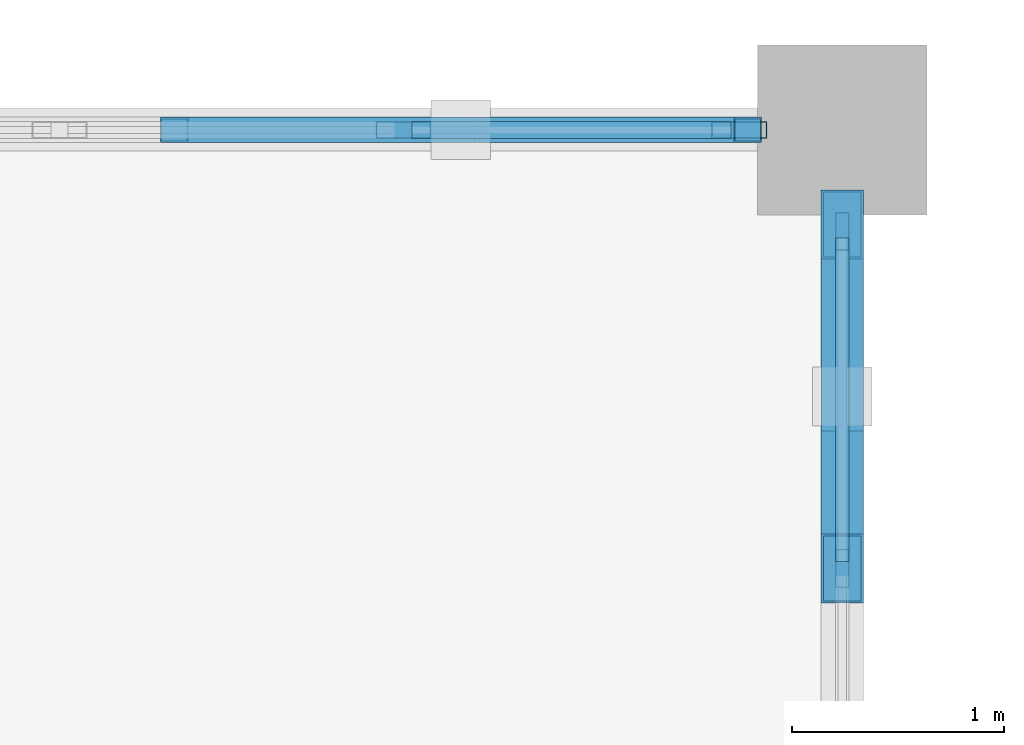
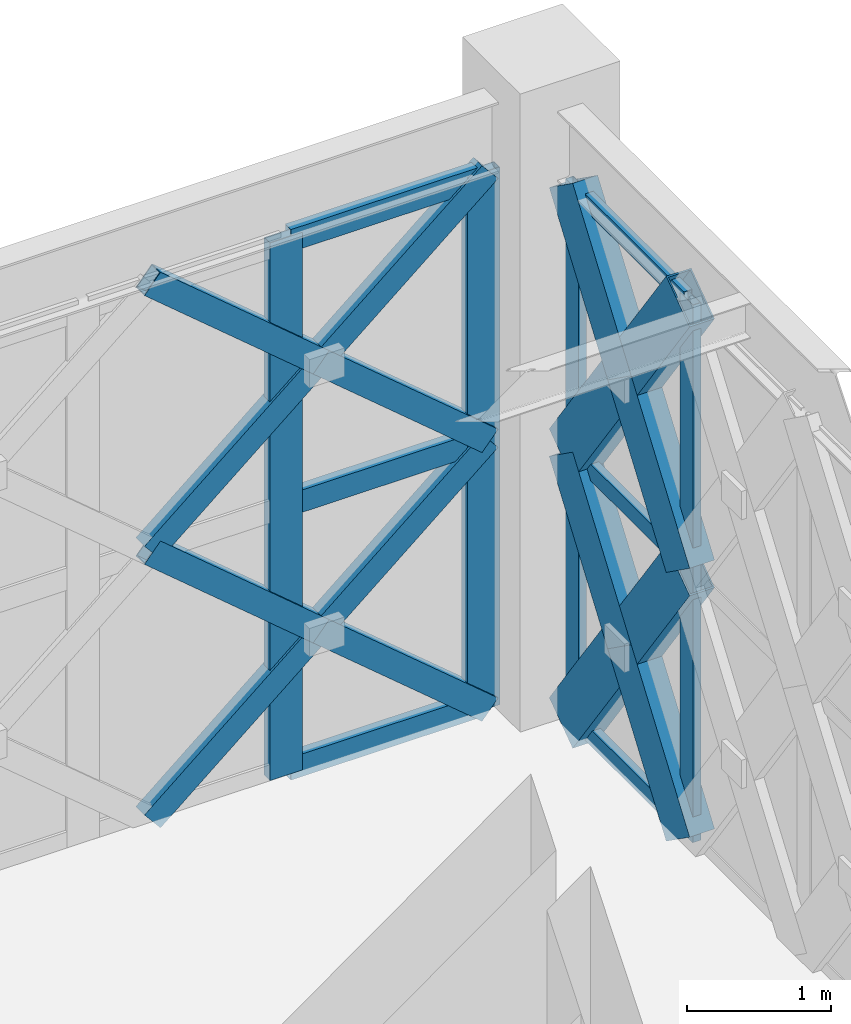
# One storey, part 20 of 86: 22 members, 2 elements without a shape of their own.
"""IFC4 building model written with IfcOpenShell, lengths in metres."""

import ifcopenshell
import ifcopenshell.guid

model = None  # the IFC model being written
_history = None  # IfcOwnerHistory: only IFC2X3 demands one
_inside = {}  # id of a spatial element -> (the spatial element, [elements in it])
_under = {}  # id of a project, library or spatial element -> (it, [spatial elements below it])
_declared = {}  # id of a project -> (the project, [libraries it declares])
_typed = {}  # id of a type object -> (the type object, [elements of that type])
_made_of = {}  # id of a material, layer set ... -> (it, [elements and type objects made of it])


def new_model(schema):
    """Start an empty IFC model of exactly this schema.

    Asked for "IFC4X3", IfcOpenShell would pick the latest addendum, in which some entities
    have other attributes; the version numbers below select the first issue.
    IFC2X3 requires an IfcOwnerHistory on every rooted entity: one is made here for all.
    """
    global model, _history
    if schema == "IFC4X3":
        model = ifcopenshell.file(schema_version=(4, 3, 0, 0))
    else:
        model = ifcopenshell.file(schema=schema)
    _inside.clear()
    _under.clear()
    _declared.clear()
    _typed.clear()
    _made_of.clear()
    _history = None
    if model.schema == "IFC2X3":
        org = make("IfcOrganization", Name="unknown")
        user = make(
            "IfcPersonAndOrganization",
            ThePerson=make("IfcPerson", FamilyName="unknown"),
            TheOrganization=org,
        )
        app = make(
            "IfcApplication",
            ApplicationDeveloper=org,
            Version="unknown",
            ApplicationFullName="unknown",
            ApplicationIdentifier="unknown",
        )
        _history = make(
            "IfcOwnerHistory",
            OwningUser=user,
            OwningApplication=app,
            ChangeAction="ADDED",
            CreationDate=0,
        )
    return model


def make(cls, **values):
    """One entity of the class cls with the attributes given. An attribute that is None is left unset."""
    return model.create_entity(
        cls, **{name: value for name, value in values.items() if value is not None}
    )


def rooted(cls, **values):
    """An entity with a GlobalId (a new one), such as an element, a storey or a relation."""
    return make(cls, GlobalId=ifcopenshell.guid.new(), OwnerHistory=_history, **values)


def si_unit(unit_type, name, prefix=None):
    """IfcSIUnit, for example si_unit("LENGTHUNIT", "METRE", prefix="MILLI")."""
    return make("IfcSIUnit", UnitType=unit_type, Prefix=prefix, Name=name)


def assignment(units):
    """IfcUnitAssignment: the units of a project."""
    return None if units is None else make("IfcUnitAssignment", Units=units)


def point(xyz):
    """IfcCartesianPoint."""
    return None if xyz is None else make("IfcCartesianPoint", Coordinates=xyz)


def direction(xyz):
    """IfcDirection."""
    return None if xyz is None else make("IfcDirection", DirectionRatios=xyz)


def frame(location, z_axis=None, x_axis=None):
    """IfcAxis2Placement3D, a coordinate frame: its origin and axes. An axis left out is left unset."""
    return make(
        "IfcAxis2Placement3D",
        Location=point(location),
        Axis=direction(z_axis),
        RefDirection=direction(x_axis),
    )


def frame_2d(location, x_axis=None):
    """IfcAxis2Placement2D, a coordinate frame in the plane: its origin and x axis."""
    return make(
        "IfcAxis2Placement2D", Location=point(location), RefDirection=direction(x_axis)
    )


def origin():
    """The frame at (0, 0, 0) with its axes left unset."""
    return frame((0.0, 0.0, 0.0))


def origin_2d():
    """The frame at (0, 0) in the plane with its x axis left unset."""
    return frame_2d((0.0, 0.0))


def place(relative_to, where):
    """IfcLocalPlacement: puts the frame where relative to a parent placement (None: the world)."""
    return make(
        "IfcLocalPlacement", PlacementRelTo=relative_to, RelativePlacement=where
    )


def context(
    kind, dimensions, precision=None, world=None, true_north=None, identifier=None
):
    """IfcGeometricRepresentationContext, for example the 3D "Model" context."""
    return make(
        "IfcGeometricRepresentationContext",
        ContextIdentifier=identifier,
        ContextType=kind,
        CoordinateSpaceDimension=dimensions,
        Precision=precision,
        WorldCoordinateSystem=world,
        TrueNorth=true_north,
    )


def subcontext(parent, identifier, kind, view, scale=None):
    """IfcGeometricRepresentationSubContext, for example "Body" below "Model"."""
    return make(
        "IfcGeometricRepresentationSubContext",
        ContextIdentifier=identifier,
        ContextType=kind,
        ParentContext=parent,
        TargetScale=scale,
        TargetView=view,
    )


def project(units=None, contexts=None):
    """IfcProject with its units and contexts."""
    return rooted(
        "IfcProject",
        Name="project",
        RepresentationContexts=contexts,
        UnitsInContext=assignment(units),
    )


def spatial(cls, under=None, at=None, **own):
    """A site, building, storey or space (cls), placed at a placement, below another one or the project."""
    s = rooted(cls, ObjectPlacement=at, **own)
    if under is not None:
        _under.setdefault(under.id(), (under, []))[1].append(s)
    return s


def profile(cls, at=None, kind="AREA", **sizes):
    """A parametric profile (cls). Its sizes go by their IFC names, for example OverallWidth=200.0."""
    return make(cls, ProfileType=kind, Position=at, **sizes)


def hollow_rectangle(**sizes):
    """IfcRectangleHollowProfileDef."""
    return profile("IfcRectangleHollowProfileDef", **sizes)


def extrude(swept, where, along, depth):
    """IfcExtrudedAreaSolid: the profile swept, set in the frame where, extruded along a direction by depth."""
    return make(
        "IfcExtrudedAreaSolid",
        SweptArea=swept,
        Position=where,
        ExtrudedDirection=direction(along),
        Depth=depth,
    )


def shape(context_of_items, identifier, shape_type, items):
    """IfcShapeRepresentation: the items that make up one representation, for example the "Body"."""
    return make(
        "IfcShapeRepresentation",
        ContextOfItems=context_of_items,
        RepresentationIdentifier=identifier,
        RepresentationType=shape_type,
        Items=items,
    )


def material(Name=None, Category=None):
    """IfcMaterial."""
    return make("IfcMaterial", Name=Name, Category=Category)


def material_profile(
    of_material, cross_section, Name=None, Category=None, Priority=None
):
    """IfcMaterialProfile: a cross section and its material."""
    return make(
        "IfcMaterialProfile",
        Name=Name,
        Material=of_material,
        Profile=cross_section,
        Priority=Priority,
        Category=Category,
    )


def profile_set(profiles, Name=None, composite=None):
    """IfcMaterialProfileSet."""
    return make(
        "IfcMaterialProfileSet",
        Name=Name,
        MaterialProfiles=profiles,
        CompositeProfile=composite,
    )


def made_of(thing, what):
    """Note that an element or type object is made of a material, layer set ...; save() writes the relation."""
    if what is not None:
        _made_of.setdefault(what.id(), (what, []))[1].append(thing)
    return thing


def type_object(cls, material=None, **own):
    """A type object (cls), such as IfcWallType, which elements share."""
    return made_of(rooted(cls, **own), material)


def element(
    cls,
    number,
    at=None,
    inside=None,
    cuts=None,
    type_object=None,
    material=None,
    context=None,
    identifier="Body",
    shape_type=None,
    held_by="IfcProductDefinitionShape",
    body=None,
    shapes=None,
    **own,
):
    """One element of the class cls, such as IfcWall. Its Tag is "e" and its number.

    at: its placement. inside: the storey or other place that contains it. cuts: it is an
    opening in that element (IfcRelVoidsElement). A single representation is given by context,
    identifier, shape_type and body (its items); several are given by shapes. held_by: the class
    of the entity that holds the representations. save() writes the other relations.
    """
    e = rooted(cls, Tag="e%d" % number, ObjectPlacement=at, **own)
    if body is not None:
        shapes = [shape(context, identifier, shape_type, body)]
    if shapes is not None:
        e.Representation = make(held_by, Representations=shapes)
    if inside is not None:
        _inside.setdefault(inside.id(), (inside, []))[1].append(e)
    if cuts is not None:
        rooted(
            "IfcRelVoidsElement", RelatingBuildingElement=cuts, RelatedOpeningElement=e
        )
    if type_object is not None:
        _typed.setdefault(type_object.id(), (type_object, []))[1].append(e)
    return made_of(e, material)


def aggregate(whole, parts):
    """IfcRelAggregates: a whole, such as a stair, and the parts it consists of."""
    return rooted("IfcRelAggregates", RelatingObject=whole, RelatedObjects=parts)


def save(model, path):
    """Write the relations noted so far, then the file.

    IfcRelAggregates (storeys below a building ...), IfcRelContainedInSpatialStructure (elements
    in a storey), IfcRelDefinesByType, IfcRelAssociatesMaterial and IfcRelDeclares: one each for
    every whole, place, type object, material and project.
    """
    for whole, parts in _under.values():
        aggregate(whole, parts)
    for where, things in _inside.values():
        rooted(
            "IfcRelContainedInSpatialStructure",
            RelatedElements=things,
            RelatingStructure=where,
        )
    for kind, things in _typed.values():
        rooted("IfcRelDefinesByType", RelatedObjects=things, RelatingType=kind)
    for what, things in _made_of.values():
        rooted("IfcRelAssociatesMaterial", RelatedObjects=things, RelatingMaterial=what)
    for by, libraries in _declared.values():
        rooted("IfcRelDeclares", RelatingContext=by, RelatedDefinitions=libraries)
    model.write(path)


model = new_model("IFC4")

# Units and contexts
model_context = context("Model", 3, precision=1e-05, world=origin(), true_north=direction((0.0, 1.0)))
body_context = subcontext(model_context, "Body", "Model", "MODEL_VIEW")
ifc_project = project(units=[si_unit("LENGTHUNIT", "METRE"), si_unit("AREAUNIT", "SQUARE_METRE"), si_unit("VOLUMEUNIT", "CUBIC_METRE"), si_unit("PLANEANGLEUNIT", "RADIAN"), si_unit("MASSUNIT", "GRAM", prefix="KILO")], contexts=[model_context])

# Site, building, storey
site_placement = place(None, origin())
site = spatial("IfcSite", under=ifc_project, at=site_placement, CompositionType="ELEMENT")
building_placement = place(site_placement, origin())
building = spatial("IfcBuilding", under=site, at=building_placement, Name="Haizhuo Lancet Aquarium", CompositionType="ELEMENT")
storey_placement = place(building_placement, frame((0.0, 0.0, 16.199951171875)))
storey = spatial("IfcBuildingStorey", under=building, at=storey_placement, Name="L03", CompositionType="ELEMENT", Elevation=16.199951171875)

# Curtain wall, members
ifc_material_1 = material(Name="Aluminium 6063-T6", Category="aluminium")
curtain_wall_type_1 = type_object("IfcCurtainWallType", Name="CWD-8110x4550", PredefinedType="NOTDEFINED", material=ifc_material_1)
curtain_wall_1_placement = place(storey_placement, origin())
curtain_wall_1 = element("IfcCurtainWall", 1, at=curtain_wall_1_placement, inside=storey, type_object=curtain_wall_type_1, Name="L03 curtain wall CW-V6-L03-235", PredefinedType="NOTDEFINED")
ifc_material_profile_1 = material_profile(ifc_material_1, hollow_rectangle(XDim=0.06494140625, YDim=0.179931640625, WallThickness=0.00390625, at=origin_2d()), Name="ALU-M 65x180x4")
ifc_profile_set_1 = profile_set([ifc_material_profile_1], Name="Aluminium 6063-T6")
member_type_1 = type_object("IfcMemberType", Name="CW-MUL-1", PredefinedType="MULLION", material=ifc_profile_set_1)
member_1_placement = place(storey_placement, frame((-36.0, -9.47802734375, 0.0), z_axis=(0.0, 0.0, 1.0), x_axis=(1.0, 0.0, 0.0)))
member_1 = element("IfcMember", 2, at=member_1_placement, type_object=member_type_1, Name="CWD-81x45 mullion 1", PredefinedType="MULLION", context=body_context, shape_type="SweptSolid", body=[
    extrude(hollow_rectangle(XDim=0.06494140625, YDim=0.179931640625, WallThickness=0.00390625, at=origin_2d()), origin(), (0.0, 0.0, 1.0), 4.550048828125),
])
member_2_placement = place(storey_placement, frame((-36.0, -11.06689453125, 0.0), z_axis=(0.0, 0.0, 1.0), x_axis=(1.0, 0.0, 0.0)))
member_2 = element("IfcMember", 3, at=member_2_placement, type_object=member_type_1, Name="CWD-81x45 mullion 2", PredefinedType="MULLION", context=body_context, shape_type="SweptSolid", body=[
    extrude(hollow_rectangle(XDim=0.06494140625, YDim=0.179931640625, WallThickness=0.00390625, at=origin_2d()), origin(), (0.0, 0.0, 1.0), 4.550048828125),
])

curtain_wall_type_2 = type_object("IfcCurtainWallType", Name="CWO-8110x4550", PredefinedType="NOTDEFINED", material=ifc_material_1)
curtain_wall_2_placement = place(storey_placement, origin())
curtain_wall_2 = element("IfcCurtainWall", 4, at=curtain_wall_2_placement, inside=storey, type_object=curtain_wall_type_2, Name="L03 curtain wall CW-V6-L03-234", PredefinedType="NOTDEFINED")
ifc_material_profile_2 = material_profile(ifc_material_1, hollow_rectangle(XDim=0.080078125, YDim=0.260009765625, WallThickness=0.0048828125, at=origin_2d()), Name="ALU-M 80x260x5")
ifc_profile_set_2 = profile_set([ifc_material_profile_2], Name="Aluminium 6063-T6")
member_type_2 = type_object("IfcMemberType", Name="CW-MUL-3", PredefinedType="MULLION", material=ifc_profile_set_2)
member_3_placement = place(storey_placement, frame((-38.06689453125, -9.0, 0.0), z_axis=(0.0, 0.0, 1.0), x_axis=(0.0, 1.0, 0.0)))
member_3 = element("IfcMember", 5, at=member_3_placement, type_object=member_type_2, Name="CWO-81x45 mullion 5", PredefinedType="MULLION", context=body_context, shape_type="SweptSolid", body=[
    extrude(hollow_rectangle(XDim=0.080078125, YDim=0.260009765625, WallThickness=0.0048828125, at=origin_2d()), origin(), (0.0, 0.0, 1.0), 4.550048828125),
])
member_4_placement = place(storey_placement, frame((-36.485107421875, -9.0, 0.0), z_axis=(0.0, 0.0, 1.0), x_axis=(0.0, 1.0, 0.0)))
member_4 = element("IfcMember", 6, at=member_4_placement, type_object=member_type_2, Name="CWO-81x45 mullion 6", PredefinedType="MULLION", context=body_context, shape_type="SweptSolid", body=[
    extrude(hollow_rectangle(XDim=0.080078125, YDim=0.260009765625, WallThickness=0.0048828125, at=origin_2d()), origin(), (0.0, 0.0, 1.0), 4.550048828125),
])

# Member
ifc_material_profile_3 = material_profile(ifc_material_1, hollow_rectangle(XDim=0.06494140625, YDim=0.139892578125, WallThickness=0.00390625, at=origin_2d()), Name="ALU-T 65x140x4")
ifc_profile_set_3 = profile_set([ifc_material_profile_3], Name="Aluminium 6063-T6")
member_type_3 = type_object("IfcMemberType", Name="CW-TRN-1", PredefinedType="NOTDEFINED", material=ifc_profile_set_3)
member_5_placement = place(storey_placement, frame((-36.0, -9.510009765625, 0.031982421875), z_axis=(0.0, -1.0, 0.0), x_axis=(1.0, 0.0, 0.0)))
member_5 = element("IfcMember", 7, at=member_5_placement, type_object=member_type_3, Name="CWD-81x45 transom 1.1", ObjectType="TRANSOM", PredefinedType="USERDEFINED", context=body_context, shape_type="SweptSolid", body=[
    extrude(hollow_rectangle(XDim=0.06494140625, YDim=0.139892578125, WallThickness=0.00390625, at=origin_2d()), origin(), (0.0, 0.0, 1.0), 1.52392578125),
])

member_6_placement = place(storey_placement, frame((-36.0, -9.510009765625, 2.275146484375), z_axis=(0.0, -1.0, 0.0), x_axis=(1.0, 0.0, 0.0)))
member_6 = element("IfcMember", 8, at=member_6_placement, type_object=member_type_3, Name="CWD-81x45 transom 1.2", ObjectType="TRANSOM", PredefinedType="USERDEFINED", context=body_context, shape_type="SweptSolid", body=[
    extrude(hollow_rectangle(XDim=0.06494140625, YDim=0.139892578125, WallThickness=0.00390625, at=origin_2d()), origin(), (0.0, 0.0, 1.0), 1.52392578125),
])

member_7_placement = place(storey_placement, frame((-36.0, -9.510009765625, 4.51806640625), z_axis=(0.0, -1.0, 0.0), x_axis=(1.0, 0.0, 0.0)))
member_7 = element("IfcMember", 9, at=member_7_placement, type_object=member_type_3, Name="CWD-81x45 transom 1.3", ObjectType="TRANSOM", PredefinedType="USERDEFINED", context=body_context, shape_type="SweptSolid", body=[
    extrude(hollow_rectangle(XDim=0.06494140625, YDim=0.139892578125, WallThickness=0.00390625, at=origin_2d()), origin(), (0.0, 0.0, 1.0), 1.52392578125),
])

aggregate(curtain_wall_1, [member_1, member_2, member_5, member_6, member_7])

ifc_material_profile_4 = material_profile(ifc_material_1, hollow_rectangle(XDim=0.080078125, YDim=0.18994140625, WallThickness=0.0048828125, at=origin_2d()), Name="ALU-T 80x190x5")
ifc_profile_set_4 = profile_set([ifc_material_profile_4], Name="Aluminium 6063-T6")
member_type_4 = type_object("IfcMemberType", Name="CW-TRN-3", PredefinedType="NOTDEFINED", material=ifc_profile_set_4)
member_8_placement = place(storey_placement, frame((-38.027099609375, -9.0, 0.0400390625), z_axis=(1.0, 0.0, 0.0), x_axis=(0.0, 1.0, 0.0)))
member_8 = element("IfcMember", 10, at=member_8_placement, type_object=member_type_4, Name="CWO-81x45 transom 5.1", ObjectType="TRANSOM", PredefinedType="USERDEFINED", context=body_context, shape_type="SweptSolid", body=[
    extrude(hollow_rectangle(XDim=0.080078125, YDim=0.18994140625, WallThickness=0.0048828125, at=origin_2d()), origin(), (0.0, 0.0, 1.0), 1.502197265625),
])

member_9_placement = place(storey_placement, frame((-38.027099609375, -9.0, 2.275146484375), z_axis=(1.0, 0.0, 0.0), x_axis=(0.0, 1.0, 0.0)))
member_9 = element("IfcMember", 11, at=member_9_placement, type_object=member_type_4, Name="CWO-81x45 transom 5.2", ObjectType="TRANSOM", PredefinedType="USERDEFINED", context=body_context, shape_type="SweptSolid", body=[
    extrude(hollow_rectangle(XDim=0.080078125, YDim=0.18994140625, WallThickness=0.0048828125, at=origin_2d()), origin(), (0.0, 0.0, 1.0), 1.502197265625),
])

member_10_placement = place(storey_placement, frame((-38.027099609375, -9.0, 4.510009765625), z_axis=(1.0, 0.0, 0.0), x_axis=(0.0, 1.0, 0.0)))
member_10 = element("IfcMember", 12, at=member_10_placement, type_object=member_type_4, Name="CWO-81x45 transom 5.3", ObjectType="TRANSOM", PredefinedType="USERDEFINED", context=body_context, shape_type="SweptSolid", body=[
    extrude(hollow_rectangle(XDim=0.080078125, YDim=0.18994140625, WallThickness=0.0048828125, at=origin_2d()), origin(), (0.0, 0.0, 1.0), 1.502197265625),
])

aggregate(curtain_wall_2, [member_3, member_4, member_8, member_9, member_10])

# Members
ifc_material_2 = material(Name="Steel S355", Category="steel")
ifc_material_profile_5 = material_profile(ifc_material_2, hollow_rectangle(XDim=0.1201171875, YDim=0.199951171875, WallThickness=0.008056640625, at=origin_2d()), Name="RHS 120x200x8")
ifc_profile_set_5 = profile_set([ifc_material_profile_5], Name="Steel S355")
member_type_5 = type_object("IfcMemberType", Name="MEM-LB-RHS120x200", PredefinedType="BRACE", material=ifc_profile_set_5)
member_11_placement = place(storey_placement, frame((-39.14794921875, -9.0, 0.0), z_axis=(0.765045580623, 0.0, 0.643976132764), x_axis=(0.0, 1.0, 0.0)))
element("IfcMember", 13, at=member_11_placement, inside=storey, type_object=member_type_5, Name="Gothic lancet continuous diagonal brace CW-V6-L03-234 5A", PredefinedType="BRACE", context=body_context, shape_type="SweptSolid", body=[
    extrude(hollow_rectangle(XDim=0.1201171875, YDim=0.199951171875, WallThickness=0.008056640625, at=origin_2d()), origin(), (0.0, 0.0, 1.0), 3.532958984375),
])
member_12_placement = place(storey_placement, frame((-36.445068359375, -9.0, 0.0), z_axis=(-0.765358991525, 0.0, 0.643603615661), x_axis=(0.0, -1.0, 0.0)))
element("IfcMember", 14, at=member_12_placement, inside=storey, type_object=member_type_5, Name="Gothic lancet split diagonal brace CW-V6-L03-234 5B1", PredefinedType="BRACE", context=body_context, shape_type="SweptSolid", body=[
    extrude(hollow_rectangle(XDim=0.1201171875, YDim=0.199951171875, WallThickness=0.008056640625, at=origin_2d()), origin(), (0.0, 0.0, 1.0), 1.7666015625),
])
member_13_placement = place(storey_placement, frame((-37.797119140625, -9.0, 1.136962890625), z_axis=(-0.764731962164, 0.0, 0.644348528395), x_axis=(0.0, -1.0, 0.0)))
element("IfcMember", 15, at=member_13_placement, inside=storey, type_object=member_type_5, Name="Gothic lancet split diagonal brace CW-V6-L03-234 5B2", PredefinedType="BRACE", context=body_context, shape_type="SweptSolid", body=[
    extrude(hollow_rectangle(XDim=0.1201171875, YDim=0.199951171875, WallThickness=0.008056640625, at=origin_2d()), origin(), (0.0, 0.0, 1.0), 1.766357421875),
])
member_14_placement = place(storey_placement, frame((-39.14794921875, -9.0, 2.275146484375), z_axis=(0.765079626398, 0.0, 0.64393568411), x_axis=(0.0, 1.0, 0.0)))
element("IfcMember", 16, at=member_14_placement, inside=storey, type_object=member_type_5, Name="Gothic lancet continuous diagonal brace CW-V6-L03-234 6A", PredefinedType="BRACE", context=body_context, shape_type="SweptSolid", body=[
    extrude(hollow_rectangle(XDim=0.1201171875, YDim=0.199951171875, WallThickness=0.008056640625, at=origin_2d()), origin(), (0.0, 0.0, 1.0), 3.53271484375),
])
member_15_placement = place(storey_placement, frame((-36.445068359375, -9.0, 2.275146484375), z_axis=(-0.76508671477, 0.0, 0.643927262106), x_axis=(0.0, -1.0, 0.0)))
element("IfcMember", 17, at=member_15_placement, inside=storey, type_object=member_type_5, Name="Gothic lancet split diagonal brace CW-V6-L03-234 6B1", PredefinedType="BRACE", context=body_context, shape_type="SweptSolid", body=[
    extrude(hollow_rectangle(XDim=0.1201171875, YDim=0.199951171875, WallThickness=0.008056640625, at=origin_2d()), origin(), (0.0, 0.0, 1.0), 1.76708984375),
])
member_16_placement = place(storey_placement, frame((-37.797119140625, -9.0, 3.4130859375), z_axis=(-0.76507253166, 0.0, 0.64394411349), x_axis=(0.0, -1.0, 0.0)))
element("IfcMember", 18, at=member_16_placement, inside=storey, type_object=member_type_5, Name="Gothic lancet split diagonal brace CW-V6-L03-234 6B2", PredefinedType="BRACE", context=body_context, shape_type="SweptSolid", body=[
    extrude(hollow_rectangle(XDim=0.1201171875, YDim=0.199951171875, WallThickness=0.008056640625, at=origin_2d()), origin(), (0.0, 0.0, 1.0), 1.765625),
])
ifc_material_profile_6 = material_profile(ifc_material_2, hollow_rectangle(XDim=0.199951171875, YDim=0.39990234375, WallThickness=0.011962890625, at=origin_2d()), Name="RHS 200x400x12")
ifc_profile_set_6 = profile_set([ifc_material_profile_6], Name="Steel S355")
member_type_6 = type_object("IfcMemberType", Name="MEM-LB-RHS200x400", PredefinedType="BRACE", material=ifc_profile_set_6)
member_17_placement = place(storey_placement, frame((-36.0, -9.445068359375, 0.0), z_axis=(0.0, -0.580460961116, 0.81428807717), x_axis=(1.0, 0.0, 0.0)))
element("IfcMember", 19, at=member_17_placement, inside=storey, type_object=member_type_6, Name="Gothic lancet continuous diagonal brace CW-V6-L03-235 1A", PredefinedType="BRACE", context=body_context, shape_type="SweptSolid", body=[
    extrude(hollow_rectangle(XDim=0.199951171875, YDim=0.39990234375, WallThickness=0.011962890625, at=origin_2d()), origin(), (0.0, 0.0, 1.0), 2.7939453125),
])
member_18_placement = place(storey_placement, frame((-36.0, -11.06689453125, 0.0), z_axis=(0.0, 0.580609578331, 0.814182115715), x_axis=(-1.0, 0.0, 0.0)))
element("IfcMember", 20, at=member_18_placement, inside=storey, type_object=member_type_6, Name="Gothic lancet split diagonal brace CW-V6-L03-235 1B1", PredefinedType="BRACE", context=body_context, shape_type="SweptSolid", body=[
    extrude(hollow_rectangle(XDim=0.199951171875, YDim=0.39990234375, WallThickness=0.011962890625, at=origin_2d()), origin(), (0.0, 0.0, 1.0), 1.396484375),
])
member_19_placement = place(storey_placement, frame((-36.0, -10.256103515625, 1.136962890625), z_axis=(0.0, 0.580312445357, 0.814393925422), x_axis=(-1.0, 0.0, 0.0)))
element("IfcMember", 21, at=member_19_placement, inside=storey, type_object=member_type_6, Name="Gothic lancet split diagonal brace CW-V6-L03-235 1B2", PredefinedType="BRACE", context=body_context, shape_type="SweptSolid", body=[
    extrude(hollow_rectangle(XDim=0.199951171875, YDim=0.39990234375, WallThickness=0.011962890625, at=origin_2d()), origin(), (0.0, 0.0, 1.0), 1.397705078125),
])
member_20_placement = place(storey_placement, frame((-36.0, -9.445068359375, 2.275146484375), z_axis=(0.0, -0.58050226424, 0.814258632875), x_axis=(1.0, 0.0, 0.0)))
element("IfcMember", 22, at=member_20_placement, inside=storey, type_object=member_type_6, Name="Gothic lancet continuous diagonal brace CW-V6-L03-235 2A", PredefinedType="BRACE", context=body_context, shape_type="SweptSolid", body=[
    extrude(hollow_rectangle(XDim=0.199951171875, YDim=0.39990234375, WallThickness=0.011962890625, at=origin_2d()), origin(), (0.0, 0.0, 1.0), 2.7939453125),
])
member_21_placement = place(storey_placement, frame((-36.0, -11.06689453125, 2.275146484375), z_axis=(0.0, 0.580279135253, 0.814417660166), x_axis=(-1.0, 0.0, 0.0)))
element("IfcMember", 23, at=member_21_placement, inside=storey, type_object=member_type_6, Name="Gothic lancet split diagonal brace CW-V6-L03-235 2B1", PredefinedType="BRACE", context=body_context, shape_type="SweptSolid", body=[
    extrude(hollow_rectangle(XDim=0.199951171875, YDim=0.39990234375, WallThickness=0.011962890625, at=origin_2d()), origin(), (0.0, 0.0, 1.0), 1.397216796875),
])
member_22_placement = place(storey_placement, frame((-36.0, -10.256103515625, 3.4130859375), z_axis=(0.0, 0.580725454015, 0.814099470003), x_axis=(-1.0, 0.0, 0.0)))
element("IfcMember", 24, at=member_22_placement, inside=storey, type_object=member_type_6, Name="Gothic lancet split diagonal brace CW-V6-L03-235 2B2", PredefinedType="BRACE", context=body_context, shape_type="SweptSolid", body=[
    extrude(hollow_rectangle(XDim=0.199951171875, YDim=0.39990234375, WallThickness=0.011962890625, at=origin_2d()), origin(), (0.0, 0.0, 1.0), 1.396484375),
])

save(model, "model.ifc")
